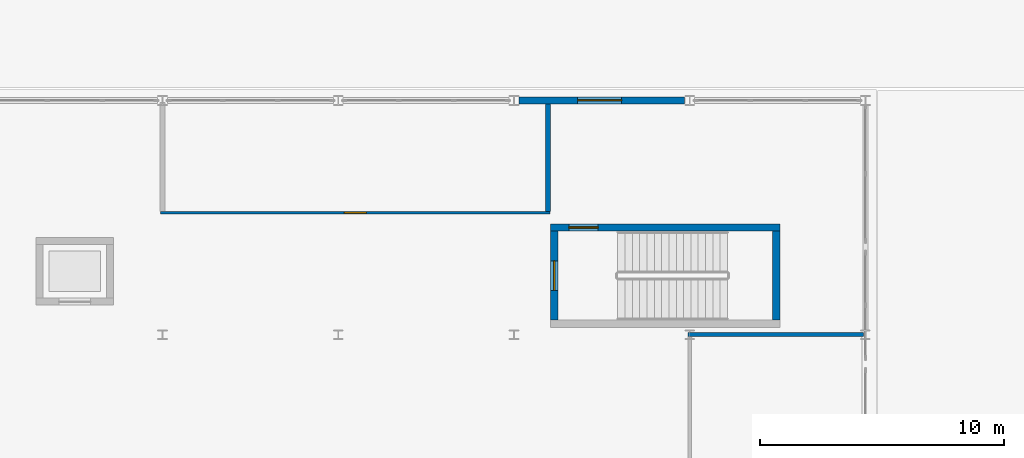
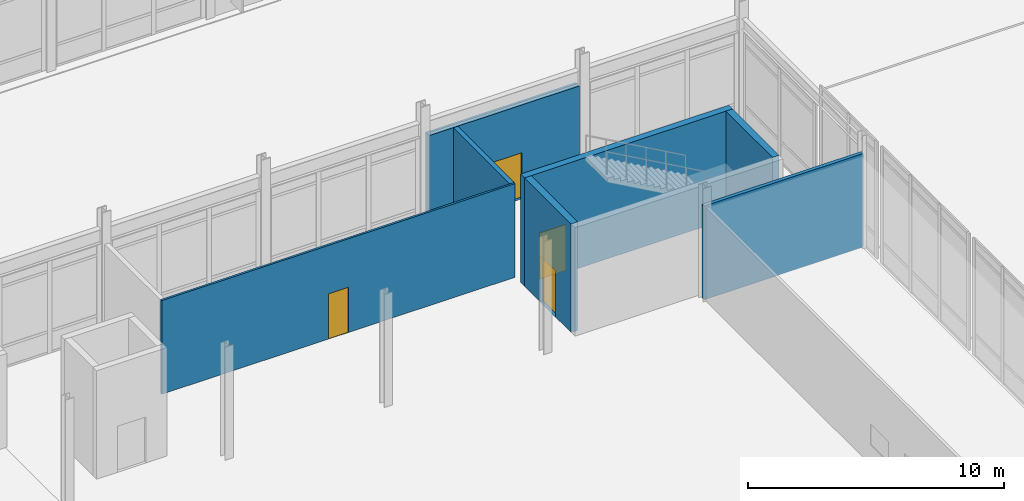
# One storey, part 72 of 104: 7 walls, 4 doors, 4 openings.
"""IFC4 building model written with IfcOpenShell, lengths in metres."""

from ifc_helpers import new_model, si_unit, direction, frame, frame_2d, origin, place, context, subcontext, project, spatial, rectangle, extrude, material, layer, layer_set, type_object, element, fill, save


model = new_model("IFC4")

# Units and contexts
model_context = context("Model", 3, precision=1e-05, world=origin(), true_north=direction((0.0, 1.0)))
body_context = subcontext(model_context, "Body", "Model", "MODEL_VIEW")
ifc_project = project(units=[si_unit("LENGTHUNIT", "METRE"), si_unit("AREAUNIT", "SQUARE_METRE"), si_unit("VOLUMEUNIT", "CUBIC_METRE"), si_unit("PLANEANGLEUNIT", "RADIAN"), si_unit("MASSUNIT", "GRAM", prefix="KILO")], contexts=[model_context])

# Site, building, storey
site_placement = place(None, origin())
site = spatial("IfcSite", under=ifc_project, at=site_placement, CompositionType="ELEMENT")
building_placement = place(site_placement, origin())
building = spatial("IfcBuilding", under=site, at=building_placement, Name="Vaelcorin Mobility Hub", CompositionType="ELEMENT")
storey_placement = place(building_placement, origin())
storey = spatial("IfcBuildingStorey", under=building, at=storey_placement, Name="L00", CompositionType="ELEMENT", Elevation=0.0)

# Wall, opening, door
ifc_material_1 = material(Name="Reinforced concrete f'c 45 MPa", Category="concrete")
ifc_layer_1 = layer(ifc_material_1, 0.300048828125)
ifc_layer_set_1 = layer_set([ifc_layer_1], Name="Reinforced concrete f'c 45 MPa")
wall_type_1 = type_object("IfcWallType", Name="WL-CORE-300", PredefinedType="SOLIDWALL", material=ifc_layer_set_1)
wall_1_placement = place(storey_placement, frame((95.10009765625, 54.7900390625, 0.0), z_axis=(0.0, 0.0, 1.0), x_axis=(1.0, 0.0, 0.0)))
wall_1 = element("IfcWall", 1, at=wall_1_placement, inside=storey, type_object=wall_type_1, Name="ST8 Fire Core Wall L00 North", PredefinedType="SOLIDWALL", context=body_context, shape_type="SweptSolid", body=[
    extrude(rectangle(XDim=9.39990234375, YDim=0.300048828125, at=frame_2d((4.699951171875, 0.0))), origin(), (0.0, 0.0, 1.0), 5.179931640625),
])
opening_1_placement = place(wall_1_placement, frame((0.75, 0.0, 0.0)))
opening_1 = element("IfcOpeningElement", 2, at=opening_1_placement, cuts=wall_1, Name="Opening SD01", PredefinedType="OPENING", context=body_context, shape_type="SweptSolid", body=[
    extrude(rectangle(XDim=1.199951171875, YDim=2.199951171875, at=frame_2d((0.60009765625, 1.10009765625))), frame((0.0, 0.159912109375, 0.0), z_axis=(0.0, -1.0, 0.0), x_axis=(1.0, 0.0, 0.0)), (0.0, 0.0, 1.0), 0.320068359375),
])
ifc_material_2 = material(Name="Hollow-metal insulated steel fire door", Category="steel")
door_type_1 = type_object("IfcDoorType", Name="DR-STAIR-90", OperationType="NOTDEFINED", PredefinedType="DOOR", material=ifc_material_2)
door_1_placement = place(opening_1_placement, origin())
door_1 = element("IfcDoor", 3, at=door_1_placement, inside=storey, type_object=door_type_1, Name="ST8 Protected Exit Vestibule Door L00", OperationType="SINGLE_SWING_RIGHT", OverallHeight=2.199951171875, OverallWidth=1.199951171875, PredefinedType="DOOR", context=body_context, shape_type="SweptSolid", body=[
    extrude(rectangle(XDim=1.199951171875, YDim=2.199951171875, at=frame_2d((0.60009765625, 1.10009765625))), frame((0.0, 0.02490234375, 0.0), z_axis=(0.0, -1.0, 0.0), x_axis=(1.0, 0.0, 0.0)), (0.0, 0.0, 1.0), 0.050048828125),
])
fill(opening_1, door_1)

wall_2_placement = place(storey_placement, frame((95.25, 51.0, 0.0), z_axis=(0.0, 0.0, 1.0), x_axis=(0.0, 1.0, 0.0)))
wall_2 = element("IfcWall", 4, at=wall_2_placement, inside=storey, type_object=wall_type_1, Name="ST8 Fire Core Wall L00 West", PredefinedType="SOLIDWALL", context=body_context, shape_type="SweptSolid", body=[
    extrude(rectangle(XDim=3.639892578125, YDim=0.300048828125, at=frame_2d((1.81982421875, 0.0))), origin(), (0.0, 0.0, 1.0), 5.179931640625),
])
opening_2_placement = place(wall_2_placement, frame((1.219970703125, 0.0, 0.0)))
opening_2 = element("IfcOpeningElement", 5, at=opening_2_placement, cuts=wall_2, Name="Opening SD01", PredefinedType="OPENING", context=body_context, shape_type="SweptSolid", body=[
    extrude(rectangle(XDim=1.199951171875, YDim=2.199951171875, at=frame_2d((0.60009765625, 1.10009765625))), frame((0.0, 0.159912109375, 0.0), z_axis=(0.0, -1.0, 0.0), x_axis=(1.0, 0.0, 0.0)), (0.0, 0.0, 1.0), 0.320068359375),
])
door_2_placement = place(opening_2_placement, origin())
door_2 = element("IfcDoor", 6, at=door_2_placement, inside=storey, type_object=door_type_1, Name="ST8 Protected Stair Door L00", OperationType="SINGLE_SWING_LEFT", OverallHeight=2.199951171875, OverallWidth=1.199951171875, PredefinedType="DOOR", context=body_context, shape_type="SweptSolid", body=[
    extrude(rectangle(XDim=1.199951171875, YDim=2.199951171875, at=frame_2d((0.60009765625, 1.10009765625))), frame((0.0, 0.02490234375, 0.0), z_axis=(0.0, -1.0, 0.0), x_axis=(1.0, 0.0, 0.0)), (0.0, 0.0, 1.0), 0.050048828125),
])
fill(opening_2, door_2)

# Wall
wall_3_placement = place(storey_placement, frame((104.35009765625, 54.639892578125, 0.0), z_axis=(0.0, 0.0, 1.0), x_axis=(0.0, -1.0, 0.0)))
element("IfcWall", 7, at=wall_3_placement, inside=storey, type_object=wall_type_1, Name="ST8 Fire Core Wall L00 East", PredefinedType="SOLIDWALL", context=body_context, shape_type="SweptSolid", body=[
    extrude(rectangle(XDim=3.639892578125, YDim=0.300048828125, at=frame_2d((1.81982421875, 0.0))), origin(), (0.0, 0.0, 1.0), 5.179931640625),
])

# Wall, opening, door
ifc_material_3 = material(Name="Insulated exterior precast concrete C40/50", Category="concrete")
ifc_layer_2 = layer(ifc_material_3, 0.280029296875)
ifc_layer_set_2 = layer_set([ifc_layer_2], Name="Insulated exterior precast concrete C40/50")
wall_type_2 = type_object("IfcWallType", Name="WL-EXT-280", PredefinedType="STANDARD", material=ifc_layer_set_2)
wall_4_placement = place(storey_placement, frame((93.80908203125, 60.0, 0.0), z_axis=(0.0, 0.0, 1.0), x_axis=(1.0, 0.0, 0.0)))
wall_4 = element("IfcWall", 8, at=wall_4_placement, inside=storey, type_object=wall_type_2, Name="L00 Exterior Wall V1-EW-N-09", PredefinedType="STANDARD", context=body_context, shape_type="SweptSolid", body=[
    extrude(rectangle(XDim=6.781982421875, YDim=0.280029296875, at=frame_2d((3.39111328125, 0.0))), origin(), (0.0, 0.0, 1.0), 4.48193359375),
])
opening_3_placement = place(wall_4_placement, frame((2.40087890625, 0.0, 0.0)))
opening_3 = element("IfcOpeningElement", 9, at=opening_3_placement, cuts=wall_4, Name="Opening ED02", PredefinedType="OPENING", context=body_context, shape_type="SweptSolid", body=[
    extrude(rectangle(XDim=1.800048828125, YDim=2.199951171875, at=frame_2d((0.89990234375, 1.10009765625))), frame((0.0, 0.14990234375, 0.0), z_axis=(0.0, -1.0, 0.0), x_axis=(1.0, 0.0, 0.0)), (0.0, 0.0, 1.0), 0.300048828125),
])
ifc_material_4 = material(Name="Anodised aluminium 6063-T6", Category="aluminium")
door_type_2 = type_object("IfcDoorType", Name="DR-EXT-1800X2200", OperationType="NOTDEFINED", PredefinedType="DOOR", material=ifc_material_4)
door_3_placement = place(opening_3_placement, origin())
door_3 = element("IfcDoor", 10, at=door_3_placement, inside=storey, type_object=door_type_2, Name="L00 Exterior Door DR-V1-N-EXIT-09", OperationType="SINGLE_SWING_RIGHT", OverallHeight=2.199951171875, OverallWidth=1.800048828125, PredefinedType="DOOR", context=body_context, shape_type="SweptSolid", body=[
    extrude(rectangle(XDim=1.800048828125, YDim=2.199951171875, at=frame_2d((0.89990234375, 1.10009765625))), frame((0.0, 0.02490234375, 0.0), z_axis=(0.0, -1.0, 0.0), x_axis=(1.0, 0.0, 0.0)), (0.0, 0.0, 1.0), 0.050048828125),
])
fill(opening_3, door_3)

# Walls
ifc_material_5 = material(Name="Fire-rated acoustic steel-stud gypsum board", Category="steel")
ifc_layer_3 = layer(ifc_material_5, 0.159912109375)
ifc_layer_set_3 = layer_set([ifc_layer_3], Name="Fire-rated acoustic steel-stud gypsum board")
wall_type_3 = type_object("IfcWallType", Name="WL-PART-160", PredefinedType="PARTITIONING", material=ifc_layer_set_3)
wall_5_placement = place(storey_placement, frame((100.719970703125, 50.39990234375, 0.0), z_axis=(0.0, 0.0, 1.0), x_axis=(1.0, 0.0, 0.0)))
element("IfcWall", 11, at=wall_5_placement, inside=storey, type_object=wall_type_3, Name="Left-Luggage and Parcel Desk Partition North", PredefinedType="PARTITIONING", context=body_context, shape_type="SweptSolid", body=[
    extrude(rectangle(XDim=7.197998046875, YDim=0.159912109375, at=frame_2d((3.59912109375, 0.0))), origin(), (0.0, 0.0, 1.0), 4.47705078125),
])
ifc_material_6 = material(Name="Reinforced acoustic concrete masonry C30/37", Category="masonry")
ifc_layer_4 = layer(ifc_material_6, 0.205078125)
ifc_layer_set_4 = layer_set([ifc_layer_4], Name="Reinforced acoustic concrete masonry C30/37")
wall_type_4 = type_object("IfcWallType", Name="WL-PART-205", PredefinedType="PARTITIONING", material=ifc_layer_set_4)
wall_6_placement = place(storey_placement, frame((95.0, 59.85791015625, 0.0), z_axis=(0.0, 0.0, 1.0), x_axis=(0.0, -1.0, 0.0)))
element("IfcWall", 12, at=wall_6_placement, inside=storey, type_object=wall_type_4, Name="Regional Passenger Waiting Lounge Partition East", PredefinedType="PARTITIONING", context=body_context, shape_type="SweptSolid", body=[
    extrude(rectangle(XDim=4.407958984375, YDim=0.205078125, at=frame_2d((2.2041015625, 0.0))), origin(), (0.0, 0.0, 1.0), 4.47705078125),
])

# Wall, opening, door
ifc_layer_5 = layer(ifc_material_5, 0.094970703125)
ifc_layer_set_5 = layer_set([ifc_layer_5], Name="Fire-rated acoustic steel-stud gypsum board")
wall_type_5 = type_object("IfcWallType", Name="WL-PART-95", PredefinedType="PARTITIONING", material=ifc_layer_set_5)
wall_7_placement = place(storey_placement, frame((95.080078125, 55.39990234375, 0.0), z_axis=(0.0, 0.0, 1.0), x_axis=(-1.0, 0.0, 0.0)))
wall_7 = element("IfcWall", 13, at=wall_7_placement, inside=storey, type_object=wall_type_5, Name="Regional Passenger Waiting Lounge Partition South", PredefinedType="PARTITIONING", context=body_context, shape_type="SweptSolid", body=[
    extrude(rectangle(XDim=15.9599609375, YDim=0.094970703125, at=frame_2d((7.97998046875, 0.0))), origin(), (0.0, 0.0, 1.0), 4.47705078125),
])
opening_4_placement = place(wall_7_placement, frame((7.530029296875, 0.0, 0.0)))
opening_4 = element("IfcOpeningElement", 14, at=opening_4_placement, cuts=wall_7, Name="Opening ID13", PredefinedType="OPENING", context=body_context, shape_type="SweptSolid", body=[
    extrude(rectangle(XDim=0.89990234375, YDim=2.159912109375, at=frame_2d((0.449951171875, 1.080078125))), frame((0.0, 0.057373046875, 0.0), z_axis=(0.0, -1.0, 0.0), x_axis=(1.0, 0.0, 0.0)), (0.0, 0.0, 1.0), 0.114990234375),
])
ifc_material_7 = material(Name="Solid-core hardwood fire door assembly", Category="wood")
door_type_3 = type_object("IfcDoorType", Name="DR-INT-13", OperationType="NOTDEFINED", PredefinedType="DOOR", material=ifc_material_7)
door_4_placement = place(opening_4_placement, origin())
door_4 = element("IfcDoor", 15, at=door_4_placement, inside=storey, type_object=door_type_3, Name="Regional Passenger Waiting Lounge Door", OperationType="SINGLE_SWING_LEFT", OverallHeight=2.159912109375, OverallWidth=0.89990234375, PredefinedType="DOOR", context=body_context, shape_type="SweptSolid", body=[
    extrude(rectangle(XDim=0.89990234375, YDim=2.159912109375, at=frame_2d((0.449951171875, 1.080078125))), frame((0.0, 0.02490234375, 0.0), z_axis=(0.0, -1.0, 0.0), x_axis=(1.0, 0.0, 0.0)), (0.0, 0.0, 1.0), 0.050048828125),
])
fill(opening_4, door_4)

save(model, "model.ifc")
